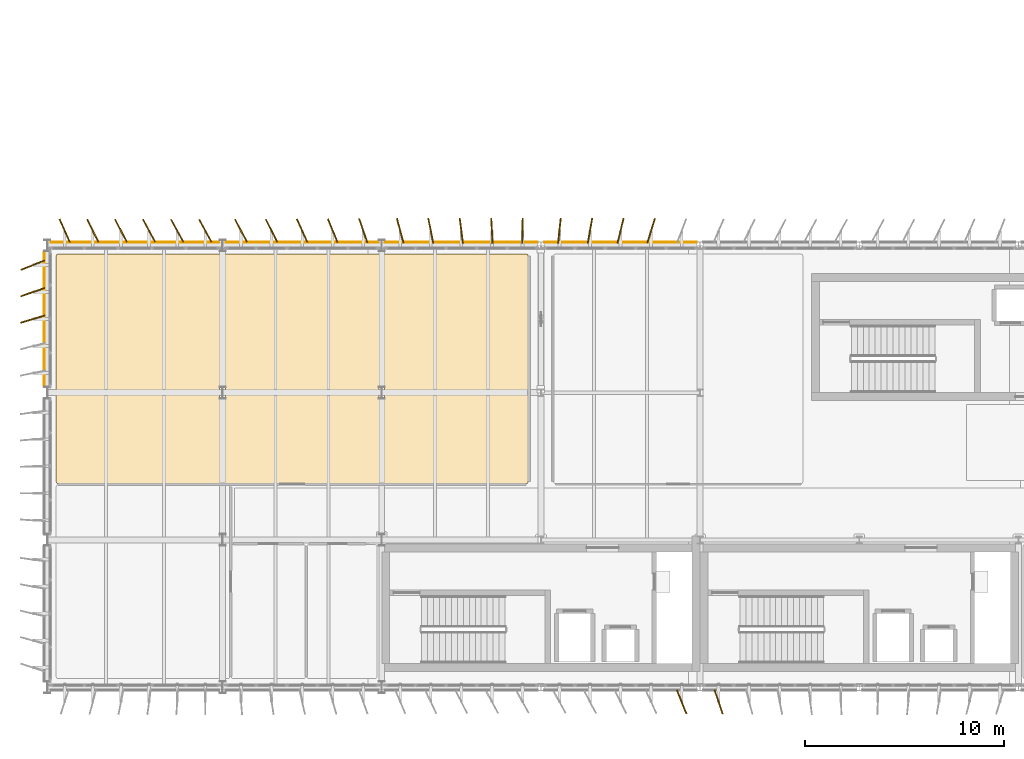
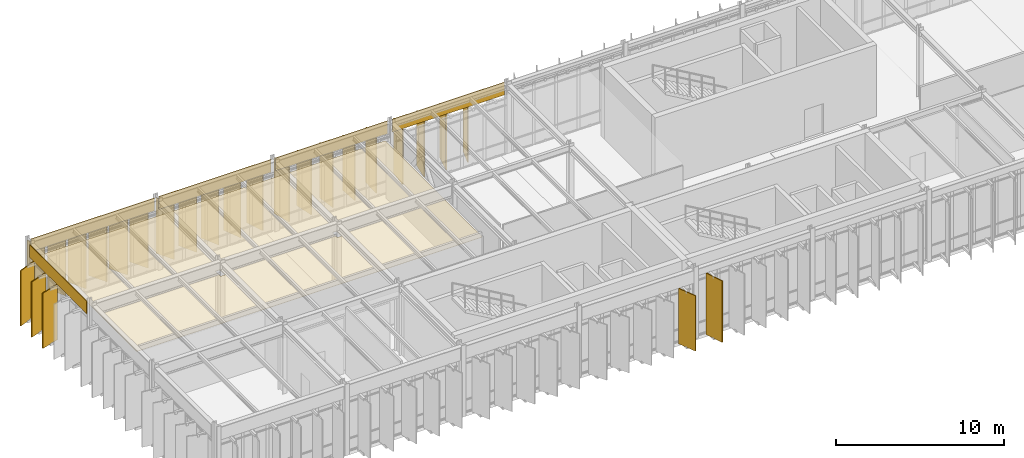
# One storey, part 41 of 48: 31 coverings.
"""IFC4 building model written with IfcOpenShell, lengths in metres."""

from ifc_helpers import new_model, si_unit, direction, frame, frame_2d, origin, origin_2d, place, context, subcontext, project, spatial, polyline, rectangle, outline, extrude, material, layer, layer_set, type_object, element, save


model = new_model("IFC4")

# Units and contexts
model_context = context("Model", 3, precision=1e-05, world=origin(), true_north=direction((0.0, 1.0)))
body_context = subcontext(model_context, "Body", "Model", "MODEL_VIEW")
ifc_project = project(units=[si_unit("LENGTHUNIT", "METRE"), si_unit("AREAUNIT", "SQUARE_METRE"), si_unit("VOLUMEUNIT", "CUBIC_METRE"), si_unit("PLANEANGLEUNIT", "RADIAN"), si_unit("MASSUNIT", "GRAM", prefix="KILO")], contexts=[model_context])

# Site, building, storey
site_placement = place(None, origin())
site = spatial("IfcSite", under=ifc_project, at=site_placement, CompositionType="ELEMENT")
building_placement = place(site_placement, origin())
building = spatial("IfcBuilding", under=site, at=building_placement, Name="Valkorina Park Police Headquarters", CompositionType="ELEMENT")
storey_placement = place(building_placement, frame((0.0, 0.0, 18.10009765625)))
storey = spatial("IfcBuildingStorey", under=building, at=storey_placement, Name="L05", CompositionType="ELEMENT", Elevation=18.10009765625)

# Coverings
ifc_material_1 = material(Name="Acoustic mineral board")
ifc_layer_1 = layer(ifc_material_1, 0.02490234375)
ifc_layer_set_1 = layer_set([ifc_layer_1], Name="Acoustic mineral board")
covering_type_1 = type_object("IfcCoveringType", Name="COV-CEILING-ACOUST", PredefinedType="CEILING", material=ifc_layer_set_1)
covering_1_placement = place(storey_placement, frame((0.0, 0.0, 4.054931640625)))
element("IfcCovering", 1, at=covering_1_placement, inside=storey, type_object=covering_type_1, Name="Cybercrime Digital Triage Suite Acoustic Suspended Ceiling", PredefinedType="CEILING", context=body_context, shape_type="SweptSolid", body=[
    extrude(outline(polyline([(24.095703125, 58.758544921875), (24.087890625, 58.759521484375), (24.080078125, 58.760009765625), (0.52001953125, 58.760009765625), (0.51220703125, 58.759521484375), (0.50439453125, 58.758544921875), (0.496826171875, 58.756591796875), (0.489501953125, 58.75390625), (0.482421875, 58.75048828125), (0.4755859375, 58.74658203125), (0.46923828125, 58.74169921875), (0.46337890625, 58.736572265625), (0.458251953125, 58.730712890625), (0.45361328125, 58.724365234375), (0.449462890625, 58.7177734375), (0.446044921875, 58.710693359375), (0.443359375, 58.703125), (0.44140625, 58.695556640625), (0.4404296875, 58.687744140625), (0.43994140625, 58.679931640625), (0.43994140625, 47.320068359375), (0.4404296875, 47.312255859375), (0.44140625, 47.304443359375), (0.443359375, 47.296875), (0.446044921875, 47.289306640625), (0.449462890625, 47.2822265625), (0.45361328125, 47.275634765625), (0.458251953125, 47.269287109375), (0.46337890625, 47.263427734375), (0.46923828125, 47.25830078125), (0.4755859375, 47.25341796875), (0.482421875, 47.24951171875), (0.489501953125, 47.24609375), (0.496826171875, 47.243408203125), (0.50439453125, 47.241455078125), (0.51220703125, 47.240478515625), (0.52001953125, 47.239990234375), (24.080078125, 47.239990234375), (24.087890625, 47.240478515625), (24.095703125, 47.241455078125), (24.103271484375, 47.243408203125), (24.110595703125, 47.24609375), (24.11767578125, 47.24951171875), (24.12451171875, 47.25341796875), (24.130859375, 47.25830078125), (24.13671875, 47.263427734375), (24.141845703125, 47.269287109375), (24.146484375, 47.275634765625), (24.150634765625, 47.2822265625), (24.15380859375, 47.289306640625), (24.156494140625, 47.296875), (24.158447265625, 47.304443359375), (24.15966796875, 47.312255859375), (24.159912109375, 47.320068359375), (24.159912109375, 58.679931640625), (24.15966796875, 58.687744140625), (24.158447265625, 58.695556640625), (24.156494140625, 58.703125), (24.15380859375, 58.710693359375), (24.150634765625, 58.7177734375), (24.146484375, 58.724365234375), (24.141845703125, 58.730712890625), (24.13671875, 58.736572265625), (24.130859375, 58.74169921875), (24.12451171875, 58.74658203125), (24.11767578125, 58.75048828125), (24.110595703125, 58.75390625), (24.103271484375, 58.756591796875), (24.095703125, 58.758544921875)]), holes=[polyline([(16.949951171875, 52.10009765625), (16.949951171875, 51.5), (16.64990234375, 51.5), (16.64990234375, 52.10009765625), (16.949951171875, 52.10009765625)]), polyline([(8.64990234375, 52.10009765625), (8.949951171875, 52.10009765625), (8.949951171875, 51.5), (8.64990234375, 51.5), (8.64990234375, 52.10009765625)])]), origin(), (0.0, 0.0, 1.0), 0.02490234375),
])
ifc_material_2 = material(Name="Precast concrete C40/50", Category="concrete")
ifc_layer_2 = layer(ifc_material_2, 0.044921875)
ifc_layer_set_2 = layer_set([ifc_layer_2], Name="Precast concrete C40/50")
covering_type_2 = type_object("IfcCoveringType", Name="COV-CLAD-DOLOMITE", PredefinedType="CLADDING", material=ifc_layer_set_2)
covering_2_placement = place(storey_placement, frame((-0.159912109375, 52.110107421875, 4.06982421875), z_axis=(0.0, 0.0, 1.0), x_axis=(0.0, 1.0, 0.0)))
element("IfcCovering", 2, at=covering_2_placement, inside=storey, type_object=covering_type_2, Name="L05 Spandrel Beam Insulated Fascia 2412", PredefinedType="CLADDING", context=body_context, shape_type="SweptSolid", body=[
    extrude(rectangle(XDim=6.77978515625, YDim=0.044921875, at=frame_2d((3.389892578125, 0.0))), origin(), (0.0, 0.0, 1.0), 0.91015625),
])
covering_3_placement = place(storey_placement, frame((0.159912109375, 59.360107421875, 4.06982421875), z_axis=(0.0, 0.0, 1.0), x_axis=(1.0, 0.0, 0.0)))
element("IfcCovering", 3, at=covering_3_placement, inside=storey, type_object=covering_type_2, Name="L05 Spandrel Beam Insulated Fascia 2413", PredefinedType="CLADDING", context=body_context, shape_type="SweptSolid", body=[
    extrude(rectangle(XDim=8.47998046875, YDim=0.044921875, at=frame_2d((4.239990234375, 0.0))), origin(), (0.0, 0.0, 1.0), 0.91015625),
])
for number, where, z_axis, x_axis, name in (
    (4, (8.9599609375, 59.360107421875, 4.06982421875), (0.0, 0.0, 1.0), (1.0, 0.0, 0.0), "L05 Spandrel Beam Insulated Fascia 2414"),
    (5, (16.9599609375, 59.360107421875, 4.06982421875), (0.0, 0.0, 1.0), (1.0, 0.0, 0.0), "L05 Spandrel Beam Insulated Fascia 2415"),
    (6, (24.9599609375, 59.360107421875, 4.06982421875), (0.0, 0.0, 1.0), (1.0, 0.0, 0.0), "L05 Spandrel Beam Insulated Fascia 2416"),
):
    element("IfcCovering", number, at=place(storey_placement, frame(where, z_axis=z_axis, x_axis=x_axis)), inside=storey, type_object=covering_type_2, Name=name, PredefinedType="CLADDING", context=body_context, shape_type="SweptSolid", body=[
        extrude(rectangle(XDim=7.679931640625, YDim=0.044921875, at=frame_2d((3.83984375, 0.0))), origin(), (0.0, 0.0, 1.0), 0.91015625),
    ])
ifc_material_3 = material(Name="Polychrome anodized aluminium - Baltic Amber", Category="aluminium")
ifc_layer_3 = layer(ifc_material_3, 0.06494140625)
ifc_layer_set_3 = layer_set([ifc_layer_3], Name="Polychrome anodized aluminium - Baltic Amber")
covering_type_3 = type_object("IfcCoveringType", Name="SHD-LOUVRE-AMBER", PredefinedType="CLADDING", material=ifc_layer_set_3)
for number, where, z_axis, x_axis, name in (
    (7, (-0.739990234375, 56.85595703125, 0.0400390625), (0.0, 0.0, 1.0), (-0.943454320287, -0.331502557353, 0.0), "V5 Polychrome Pivoting Louvre 0242"),
    (8, (3.693359375, 59.93994140625, 0.0400390625), (0.0, 0.0, 1.0), (-0.463141356361, 0.886284426145, 0.0), "V5 Polychrome Pivoting Louvre 0246"),
    (9, (11.263916015625, 59.93994140625, 0.0400390625), (0.0, 0.0, 1.0), (-0.44838321609, 0.893841424151, 0.0), "V5 Polychrome Pivoting Louvre 0251"),
    (10, (17.72802734375, 59.93994140625, 0.0400390625), (0.0, 0.0, 1.0), (-0.261683861269, 0.965153644117, 0.0), "V5 Polychrome Pivoting Louvre 0255"),
    (11, (23.8720703125, 59.93994140625, 0.0400390625), (0.0, 0.0, 1.0), (0.016754376869, 0.999859635577, 0.0), "V5 Polychrome Pivoting Louvre 0259"),
    (12, (30.3359375, 59.93994140625, 0.0400390625), (0.0, 0.0, 1.0), (0.300372871173, 0.953821858768, 0.0), "V5 Polychrome Pivoting Louvre 0263"),
):
    element("IfcCovering", number, at=place(storey_placement, frame(where, z_axis=z_axis, x_axis=x_axis)), inside=storey, type_object=covering_type_3, Name=name, PredefinedType="CLADDING", context=body_context, shape_type="SweptSolid", body=[
        extrude(rectangle(XDim=1.280029296875, YDim=0.06494140625, at=origin_2d()), origin(), (0.0, 0.0, 1.0), 4.010009765625),
    ])
ifc_material_4 = material(Name="Polychrome anodized aluminium - Riga Ochre", Category="aluminium")
ifc_layer_4 = layer(ifc_material_4, 0.06494140625)
ifc_layer_set_4 = layer_set([ifc_layer_4], Name="Polychrome anodized aluminium - Riga Ochre")
covering_type_4 = type_object("IfcCoveringType", Name="SHD-LOUVRE-OCHRE", PredefinedType="CLADDING", material=ifc_layer_set_4)
covering_4_placement = place(storey_placement, frame((33.72802734375, 36.260009765625, 0.0400390625), z_axis=(0.0, 0.0, 1.0), x_axis=(0.318628456287, -0.947879690069, 0.0)))
element("IfcCovering", 13, at=covering_4_placement, inside=storey, type_object=covering_type_4, Name="V5 Polychrome Pivoting Louvre 0207", PredefinedType="CLADDING", context=body_context, shape_type="SweptSolid", body=[
    extrude(rectangle(XDim=1.280029296875, YDim=0.06494140625, at=origin_2d()), origin(), (0.0, 0.0, 1.0), 4.4599609375),
])
for number, where, z_axis, x_axis, name in (
    (14, (0.86669921875, 59.93994140625, 0.0400390625), (0.0, 0.0, 1.0), (-0.410400562604, 0.911905355952, 0.0), "V5 Polychrome Pivoting Louvre 0244"),
    (15, (6.52001953125, 59.93994140625, 0.0400390625), (0.0, 0.0, 1.0), (-0.484351604003, 0.87487343296, 0.0), "V5 Polychrome Pivoting Louvre 0248"),
    (16, (14.3359375, 59.93994140625, 0.0400390625), (0.0, 0.0, 1.0), (-0.378163953596, 0.92573863709, 0.0), "V5 Polychrome Pivoting Louvre 0253"),
    (17, (20.800048828125, 59.93994140625, 0.0400390625), (0.0, 0.0, 1.0), (-0.129141747261, 0.991626143823, 0.0), "V5 Polychrome Pivoting Louvre 0257"),
    (18, (27.263916015625, 59.93994140625, 0.0400390625), (0.0, 0.0, 1.0), (0.175194895202, 0.984533772247, 0.0), "V5 Polychrome Pivoting Louvre 0261"),
):
    element("IfcCovering", number, at=place(storey_placement, frame(where, z_axis=z_axis, x_axis=x_axis)), inside=storey, type_object=covering_type_4, Name=name, PredefinedType="CLADDING", context=body_context, shape_type="SweptSolid", body=[
        extrude(rectangle(XDim=1.280029296875, YDim=0.06494140625, at=origin_2d()), origin(), (0.0, 0.0, 1.0), 4.010009765625),
    ])
ifc_material_5 = material(Name="Polychrome anodized aluminium - Courland Slate Blue", Category="masonry")
ifc_layer_5 = layer(ifc_material_5, 0.06494140625)
ifc_layer_set_5 = layer_set([ifc_layer_5], Name="Polychrome anodized aluminium - Courland Slate Blue")
covering_type_5 = type_object("IfcCoveringType", Name="SHD-LOUVRE-SLATE", PredefinedType="CLADDING", material=ifc_layer_set_5)
for number, where, z_axis, x_axis, name in (
    (19, (31.8720703125, 36.260009765625, 0.0400390625), (0.0, 0.0, 1.0), (0.377840786818, -0.92587058481, 0.0), "V5 Polychrome Pivoting Louvre 0208"),
    (20, (-0.739990234375, 55.5, 0.0400390625), (0.0, 0.0, 1.0), (-0.955946842928, -0.293539832896, 0.0), "V5 Polychrome Pivoting Louvre 0241"),
    (21, (2.280029296875, 59.93994140625, 0.0400390625), (0.0, 0.0, 1.0), (-0.440722679139, 0.897643314515, 0.0), "V5 Polychrome Pivoting Louvre 0245"),
    (22, (7.933349609375, 59.93994140625, 0.0400390625), (0.0, 0.0, 1.0), (-0.482976759048, 0.875633171036, 0.0), "V5 Polychrome Pivoting Louvre 0249"),
    (23, (9.72802734375, 59.93994140625, 0.0400390625), (0.0, 0.0, 1.0), (-0.46977974103, 0.88278366258, 0.0), "V5 Polychrome Pivoting Louvre 0250"),
    (24, (15.8720703125, 59.93994140625, 0.0400390625), (0.0, 0.0, 1.0), (-0.330020174407, 0.943973879132, 0.0), "V5 Polychrome Pivoting Louvre 0254"),
    (25, (22.3359375, 59.93994140625, 0.0400390625), (0.0, 0.0, 1.0), (-0.05704128854, 0.998371820216, 0.0), "V5 Polychrome Pivoting Louvre 0258"),
    (26, (28.800048828125, 59.93994140625, 0.0400390625), (0.0, 0.0, 1.0), (0.240736275485, 0.970590565411, 0.0), "V5 Polychrome Pivoting Louvre 0262"),
):
    element("IfcCovering", number, at=place(storey_placement, frame(where, z_axis=z_axis, x_axis=x_axis)), inside=storey, type_object=covering_type_5, Name=name, PredefinedType="CLADDING", context=body_context, shape_type="SweptSolid", body=[
        extrude(rectangle(XDim=1.280029296875, YDim=0.06494140625, at=origin_2d()), origin(), (0.0, 0.0, 1.0), 4.010009765625),
    ])
ifc_material_6 = material(Name="Polychrome anodized aluminium - Pine Verdigris", Category="aluminium")
ifc_layer_6 = layer(ifc_material_6, 0.06494140625)
ifc_layer_set_6 = layer_set([ifc_layer_6], Name="Polychrome anodized aluminium - Pine Verdigris")
covering_type_6 = type_object("IfcCoveringType", Name="SHD-LOUVRE-VERDIGRIS", PredefinedType="CLADDING", material=ifc_layer_set_6)
for number, where, z_axis, x_axis, name in (
    (27, (-0.739990234375, 58.2119140625, 0.0400390625), (0.0, 0.0, 1.0), (-0.930737046321, -0.365689144775, 0.0), "V5 Polychrome Pivoting Louvre 0243"),
    (28, (5.106689453125, 59.93994140625, 0.0400390625), (0.0, 0.0, 1.0), (-0.477772174015, 0.87848377887, 0.0), "V5 Polychrome Pivoting Louvre 0247"),
    (29, (12.800048828125, 59.93994140625, 0.0400390625), (0.0, 0.0, 1.0), (-0.417708502848, 0.908581095252, 0.0), "V5 Polychrome Pivoting Louvre 0252"),
    (30, (19.263916015625, 59.93994140625, 0.0400390625), (0.0, 0.0, 1.0), (-0.197999507521, 0.980202119474, 0.0), "V5 Polychrome Pivoting Louvre 0256"),
    (31, (25.72802734375, 59.93994140625, 0.0400390625), (0.0, 0.0, 1.0), (0.105049179362, 0.994467028068, 0.0), "V5 Polychrome Pivoting Louvre 0260"),
):
    element("IfcCovering", number, at=place(storey_placement, frame(where, z_axis=z_axis, x_axis=x_axis)), inside=storey, type_object=covering_type_6, Name=name, PredefinedType="CLADDING", context=body_context, shape_type="SweptSolid", body=[
        extrude(rectangle(XDim=1.280029296875, YDim=0.06494140625, at=origin_2d()), origin(), (0.0, 0.0, 1.0), 4.010009765625),
    ])

save(model, "model.ifc")
